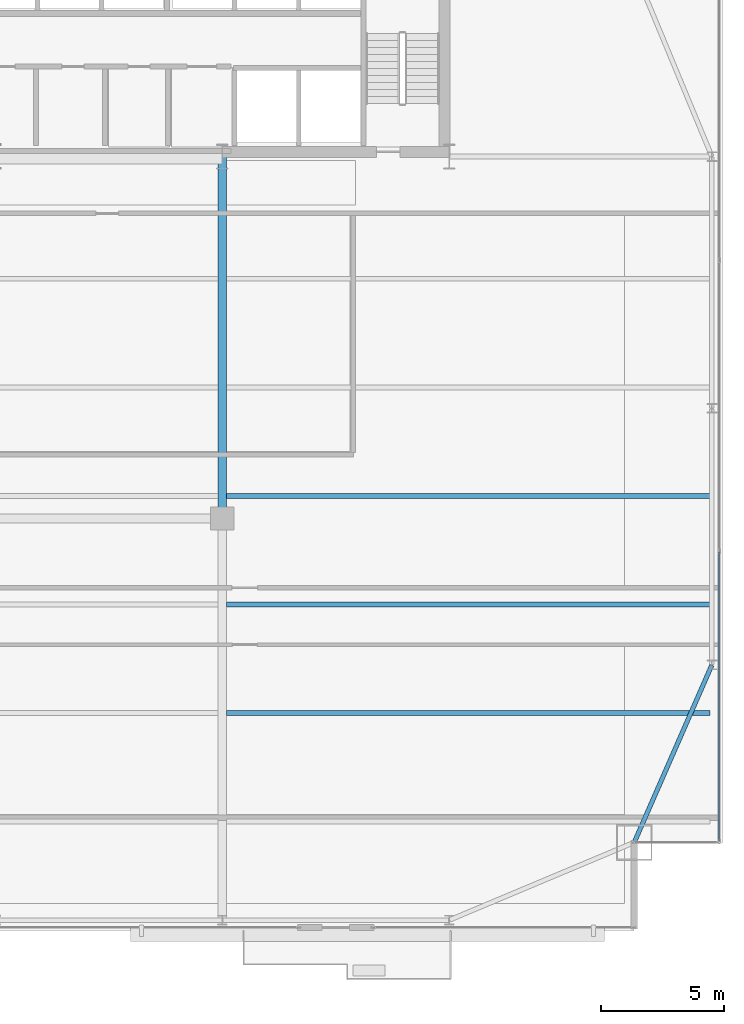
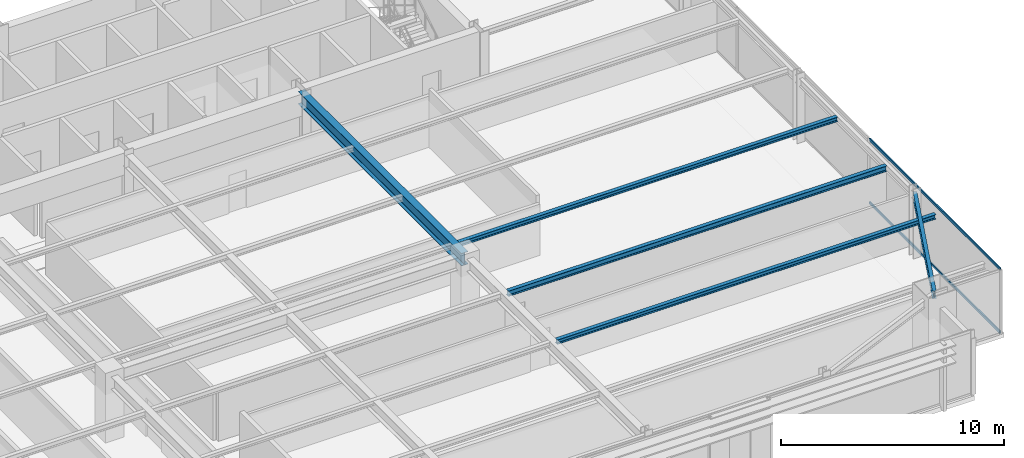
# One storey, part 17 of 31: 5 beams, 2 members, 1 element without a shape of its own.
"""IFC4 building model written with IfcOpenShell, lengths in metres."""

from ifc_helpers import new_model, si_unit, direction, frame, origin, origin_2d, place, context, subcontext, project, spatial, hollow_rectangle, i_section, extrude, source, transform, mapped, material, layer, layer_set, material_profile, profile_set, type_object, type_shapes, element, aggregate, save


model = new_model("IFC4")

# Units and contexts
model_context = context("Model", 3, precision=1e-05, world=origin(), true_north=direction((0.0, 1.0)))
body_context = subcontext(model_context, "Body", "Model", "MODEL_VIEW")
ifc_project = project(units=[si_unit("LENGTHUNIT", "METRE"), si_unit("AREAUNIT", "SQUARE_METRE"), si_unit("VOLUMEUNIT", "CUBIC_METRE"), si_unit("PLANEANGLEUNIT", "RADIAN"), si_unit("MASSUNIT", "GRAM", prefix="KILO")], contexts=[model_context])

# Site, building, storey
site_placement = place(None, origin())
site = spatial("IfcSite", under=ifc_project, at=site_placement, CompositionType="ELEMENT")
building_placement = place(site_placement, origin())
building = spatial("IfcBuilding", under=site, at=building_placement, Name="Varnel Quay Broadcast Tower", CompositionType="ELEMENT")
storey_placement = place(building_placement, frame((0.0, 0.0, 94.60009765625)))
storey = spatial("IfcBuildingStorey", under=building, at=storey_placement, Name="L22", CompositionType="ELEMENT", Elevation=94.60009765625)

# Beams
ifc_material_1 = material(Name="Structural Steel CSA G40.21 350W", Category="steel")
ifc_material_profile_1 = material_profile(ifc_material_1, i_section(OverallWidth=0.180908203125, OverallDepth=0.4169921875, WebThickness=0.010986328125, FlangeThickness=0.018310546875, FilletRadius=0.011962890625, at=origin_2d()), Name="W410X85")
ifc_profile_set_1 = profile_set([ifc_material_profile_1], Name="Structural Steel CSA G40.21 350W")
beam_type_1 = type_object("IfcBeamType", Name="Beam_W410X85", PredefinedType="SPANDREL", material=ifc_profile_set_1)
shared_shape_1 = source(origin(), body_context, "Body", "SweptSolid", [
    extrude(i_section(OverallWidth=0.180908203125, OverallDepth=0.4169921875, WebThickness=0.010986328125, FlangeThickness=0.018310546875, FilletRadius=0.011962890625, at=origin_2d()), origin(), (0.0, 0.0, 1.0), 7.81884765625),
])
type_shapes(beam_type_1, [shared_shape_1])
beam_1_placement = place(storey_placement, frame((59.907958984375, 7.818359375, 3.3115234375), z_axis=(0.400827023998, 0.916153751743, 0.0), x_axis=(-0.916153751743, 0.400827023998, 0.0)))
element("IfcBeam", 1, at=beam_1_placement, inside=storey, type_object=beam_type_1, Name="L22 East Spandrel MC-SE-TC-E1", PredefinedType="SPANDREL", context=body_context, shape_type="MappedRepresentation", body=[
    mapped(shared_shape_1, transform((0.0, 0.0, 0.0), x_axis=(1.0, 0.0, 0.0), y_axis=(0.0, 1.0, 0.0), z_axis=(0.0, 0.0, 1.0), scale=1.0)),
])
ifc_material_profile_2 = material_profile(ifc_material_1, i_section(OverallWidth=0.35498046875, OverallDepth=0.695068359375, WebThickness=0.015380859375, FlangeThickness=0.02490234375, FilletRadius=0.01806640625, at=origin_2d()), Name="W690X217")
ifc_profile_set_2 = profile_set([ifc_material_profile_2], Name="Structural Steel CSA G40.21 350W")
beam_type_2 = type_object("IfcBeamType", Name="Girder_W690X217", PredefinedType="BEAM", material=ifc_profile_set_2)
shared_shape_2 = source(origin(), body_context, "Body", "SweptSolid", [
    extrude(i_section(OverallWidth=0.35498046875, OverallDepth=0.695068359375, WebThickness=0.015380859375, FlangeThickness=0.02490234375, FilletRadius=0.01806640625, at=origin_2d()), origin(), (0.0, 0.0, 1.0), 14.630126953125),
])
type_shapes(beam_type_2, [shared_shape_2])
beam_2_placement = place(storey_placement, frame((43.199951171875, 20.949951171875, 3.17236328125), z_axis=(0.0, 1.0, 0.0), x_axis=(-1.0, 0.0, 0.0)))
element("IfcBeam", 2, at=beam_2_placement, inside=storey, type_object=beam_type_2, Name="L22 Primary Girder IC-02-CC-S4", PredefinedType="BEAM", context=body_context, shape_type="MappedRepresentation", body=[
    mapped(shared_shape_2, transform((0.0, 0.0, 0.0), x_axis=(1.0, 0.0, 0.0), y_axis=(0.0, 1.0, 0.0), z_axis=(0.0, 0.0, 1.0), scale=1.0)),
])
ifc_material_profile_3 = material_profile(ifc_material_1, i_section(OverallWidth=0.202880859375, OverallDepth=0.302978515625, WebThickness=0.007568359375, FlangeThickness=0.01318359375, FilletRadius=0.011962890625, at=origin_2d()), Name="W310X60")
ifc_profile_set_3 = profile_set([ifc_material_profile_3], Name="Structural Steel CSA G40.21 350W")
beam_type_3 = type_object("IfcBeamType", Name="Beam_W310X60", PredefinedType="JOIST", material=ifc_profile_set_3)
shared_shape_3 = source(origin(), body_context, "Body", "SweptSolid", [
    extrude(i_section(OverallWidth=0.202880859375, OverallDepth=0.302978515625, WebThickness=0.007568359375, FlangeThickness=0.01318359375, FilletRadius=0.011962890625, at=origin_2d()), origin(), (0.0, 0.0, 1.0), 19.592041015625),
])
type_shapes(beam_type_3, [shared_shape_3])
beam_3_placement = place(storey_placement, frame((43.37255859375, 17.449951171875, 3.368408203125), z_axis=(1.0, 0.0, 0.0), x_axis=(0.0, 1.0, 0.0)))
element("IfcBeam", 3, at=beam_3_placement, inside=storey, type_object=beam_type_3, Name="L22 East Floor Joist 3", PredefinedType="JOIST", context=body_context, shape_type="MappedRepresentation", body=[
    mapped(shared_shape_3, transform((0.0, 0.0, 0.0), x_axis=(1.0, 0.0, 0.0), y_axis=(0.0, 1.0, 0.0), z_axis=(0.0, 0.0, 1.0), scale=1.0)),
])
ifc_material_profile_4 = material_profile(ifc_material_1, i_section(OverallWidth=0.201904296875, OverallDepth=0.2470703125, WebThickness=0.00732421875, FlangeThickness=0.010986328125, FilletRadius=0.010986328125, at=origin_2d()), Name="W250X49")
ifc_profile_set_4 = profile_set([ifc_material_profile_4], Name="Structural Steel CSA G40.21 350W")
beam_type_4 = type_object("IfcBeamType", Name="Beam_W250X49", PredefinedType="JOIST", material=ifc_profile_set_4)
shared_shape_4 = source(origin(), body_context, "Body", "SweptSolid", [
    extrude(i_section(OverallWidth=0.201904296875, OverallDepth=0.2470703125, WebThickness=0.00732421875, FlangeThickness=0.010986328125, FilletRadius=0.010986328125, at=origin_2d()), origin(), (0.0, 0.0, 1.0), 19.592041015625),
])
type_shapes(beam_type_4, [shared_shape_4])
for number, where, z_axis, x_axis, name in (
    (4, (43.37255859375, 13.050048828125, 3.396484375), (1.0, 0.0, 0.0), (0.0, 1.0, 0.0), "L22 East Floor Joist 2"),
    (5, (43.37255859375, 21.85009765625, 3.396484375), (1.0, 0.0, 0.0), (0.0, 1.0, 0.0), "L22 East Floor Joist 4"),
):
    element("IfcBeam", number, at=place(storey_placement, frame(where, z_axis=z_axis, x_axis=x_axis)), inside=storey, type_object=beam_type_4, Name=name, PredefinedType="JOIST", context=body_context, shape_type="MappedRepresentation", body=[
        mapped(shared_shape_4, transform((0.0, 0.0, 0.0), x_axis=(1.0, 0.0, 0.0), y_axis=(0.0, 1.0, 0.0), z_axis=(0.0, 0.0, 1.0), scale=1.0)),
    ])

# Curtain wall, members
ifc_material_2 = material(Name="Anodised Bronze Aluminium 6063-T6", Category="aluminium")
ifc_layer = layer(ifc_material_2, 0.18994140625, Name="Anodised Bronze Aluminium 6063-T6")
ifc_layer_set = layer_set([ifc_layer], Name="Anodised Bronze Aluminium 6063-T6")
curtain_wall_type = type_object("IfcCurtainWallType", Name="CW_LowerTower", PredefinedType="NOTDEFINED", material=ifc_layer_set)
curtain_wall_placement = place(storey_placement, origin())
curtain_wall = element("IfcCurtainWall", 6, at=curtain_wall_placement, inside=storey, type_object=curtain_wall_type, Name="L22 East Unitised Curtain Wall", PredefinedType="NOTDEFINED")
ifc_material_profile_5 = material_profile(ifc_material_2, hollow_rectangle(XDim=0.06005859375, YDim=0.14501953125, WallThickness=0.00341796875, at=origin_2d()), Name="ALU60X145X3.5")
ifc_profile_set_5 = profile_set([ifc_material_profile_5], Name="Anodised Bronze Aluminium 6063-T6")
member_type = type_object("IfcMemberType", Name="Tran_CWS-02", PredefinedType="USERDEFINED", material=ifc_profile_set_5)
shared_shape_5 = source(origin(), body_context, "Body", "SweptSolid", [
    extrude(hollow_rectangle(XDim=0.06005859375, YDim=0.14501953125, WallThickness=0.00341796875, at=origin_2d()), origin(), (0.0, 0.0, 1.0), 11.69482421875),
])
type_shapes(member_type, [shared_shape_5])
member_1_placement = place(storey_placement, frame((63.35009765625, 7.8701171875, 0.02978515625), z_axis=(0.0, 1.0, 0.0), x_axis=(-1.0, 0.0, 0.0)))
member_1 = element("IfcMember", 7, at=member_1_placement, type_object=member_type, Name="CWS-02 transom 1.1", ObjectType="TRANSOM", PredefinedType="USERDEFINED", context=body_context, shape_type="MappedRepresentation", body=[
    mapped(shared_shape_5, transform((0.0, 0.0, 0.0), x_axis=(1.0, 0.0, 0.0), y_axis=(0.0, 1.0, 0.0), z_axis=(0.0, 0.0, 1.0), scale=1.0)),
])
member_2_placement = place(storey_placement, frame((63.35009765625, 7.8701171875, 3.489990234375), z_axis=(0.0, 1.0, 0.0), x_axis=(-1.0, 0.0, 0.0)))
member_2 = element("IfcMember", 8, at=member_2_placement, type_object=member_type, Name="CWS-02 transom 1.2", ObjectType="TRANSOM", PredefinedType="USERDEFINED", context=body_context, shape_type="MappedRepresentation", body=[
    mapped(shared_shape_5, transform((0.0, 0.0, 0.0), x_axis=(1.0, 0.0, 0.0), y_axis=(0.0, 1.0, 0.0), z_axis=(0.0, 0.0, 1.0), scale=1.0)),
])
aggregate(curtain_wall, [member_1, member_2])

save(model, "model.ifc")
